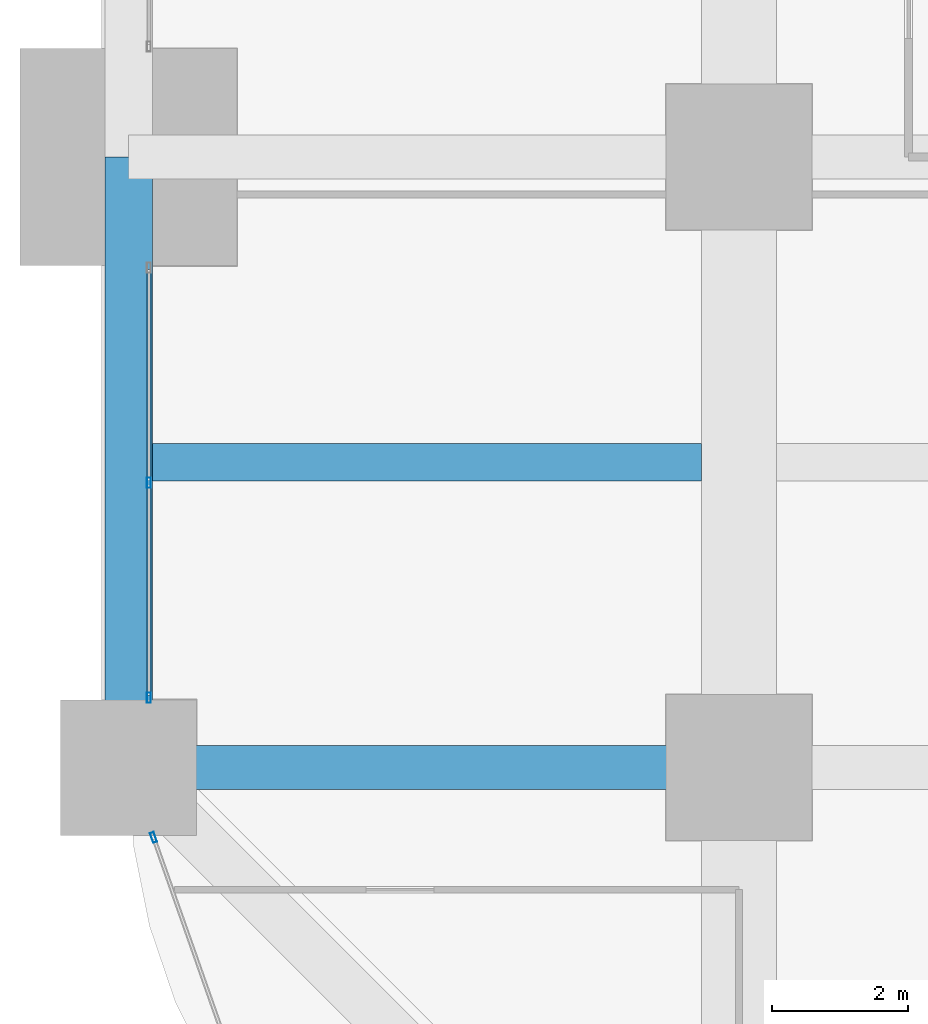
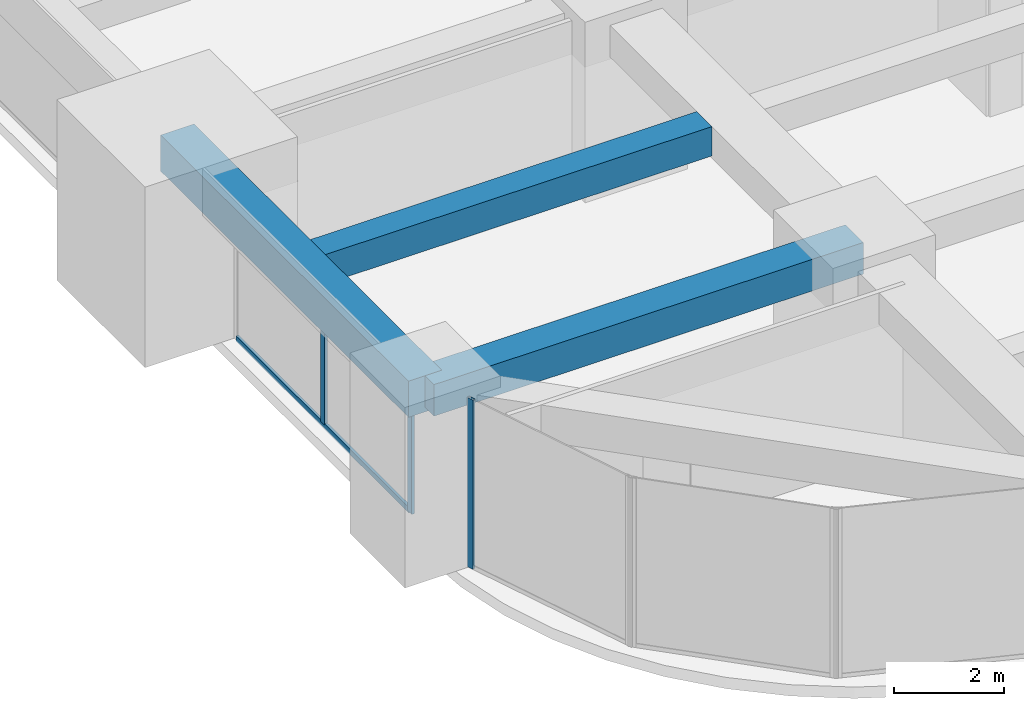
# One storey, part 4 of 41: 4 members, 3 beams, 2 elements without a shape of their own.
"""IFC4 building model written with IfcOpenShell, lengths in metres."""

from ifc_helpers import new_model, si_unit, direction, frame, origin, origin_2d, place, context, subcontext, project, spatial, rectangle, hollow_rectangle, extrude, material, material_profile, profile_set, type_object, element, aggregate, save


model = new_model("IFC4")

# Units and contexts
model_context = context("Model", 3, precision=1e-05, world=origin(), true_north=direction((0.0, 1.0)))
body_context = subcontext(model_context, "Body", "Model", "MODEL_VIEW")
ifc_project = project(units=[si_unit("LENGTHUNIT", "METRE"), si_unit("AREAUNIT", "SQUARE_METRE"), si_unit("VOLUMEUNIT", "CUBIC_METRE"), si_unit("PLANEANGLEUNIT", "RADIAN"), si_unit("MASSUNIT", "GRAM", prefix="KILO")], contexts=[model_context])

# Site, building, storey
site_placement = place(None, origin())
site = spatial("IfcSite", under=ifc_project, at=site_placement, CompositionType="ELEMENT")
building_placement = place(site_placement, origin())
building = spatial("IfcBuilding", under=site, at=building_placement, Name="Zorevar Civic Tower", CompositionType="ELEMENT")
storey_placement = place(building_placement, frame((0.0, 0.0, 89.0)))
storey = spatial("IfcBuildingStorey", under=building, at=storey_placement, Name="L21", CompositionType="ELEMENT", Elevation=89.0)

# Beams
ifc_material_1 = material(Name="Concrete C50/60", Category="concrete")
ifc_material_profile_1 = material_profile(ifc_material_1, rectangle(XDim=0.550048828125, YDim=0.64990234375, at=origin_2d()), Name="RC 550x650")
ifc_profile_set_1 = profile_set([ifc_material_profile_1], Name="Concrete C50/60")
beam_type_1 = type_object("IfcBeamType", Name="Beam RC 550x650", PredefinedType="BEAM", material=ifc_profile_set_1)
beam_1_placement = place(storey_placement, frame((0.35009765625, 13.5, 3.425048828125), z_axis=(1.0, 0.0, 0.0), x_axis=(0.0, 1.0, 0.0)))
element("IfcBeam", 1, at=beam_1_placement, inside=storey, type_object=beam_type_1, Name="Secondary beam L22", PredefinedType="BEAM", context=body_context, shape_type="SweptSolid", body=[
    extrude(rectangle(XDim=0.550048828125, YDim=0.64990234375, at=origin_2d()), origin(), (0.0, 0.0, 1.0), 8.099853515625),
])
ifc_material_2 = material(Name="Concrete C50/60", Category="concrete")
ifc_material_profile_2 = material_profile(ifc_material_2, rectangle(XDim=0.64990234375, YDim=0.699951171875, at=origin_2d()), Name="RC 650x700")
ifc_profile_set_2 = profile_set([ifc_material_profile_2], Name="Concrete C50/60")
beam_type_2 = type_object("IfcBeamType", Name="Beam RC 650x700", PredefinedType="BEAM", material=ifc_profile_set_2)
beam_2_placement = place(storey_placement, frame((0.0, 9.0, 3.39990234375), z_axis=(1.0, 0.0, 0.0), x_axis=(0.0, 1.0, 0.0)))
element("IfcBeam", 2, at=beam_2_placement, inside=storey, type_object=beam_type_2, Name="Girder L22", PredefinedType="BEAM", context=body_context, shape_type="SweptSolid", body=[
    extrude(rectangle(XDim=0.64990234375, YDim=0.699951171875, at=origin_2d()), origin(), (0.0, 0.0, 1.0), 9.0),
])

# Curtain wall, members
ifc_material_3 = material(Name="Dark grey solar-control glass in black aluminium frame", Category="aluminium")
curtain_wall_type = type_object("IfcCurtainWallType", Name="Curtain wall CW3 mid zone", PredefinedType="NOTDEFINED", material=ifc_material_3)
curtain_wall_1_placement = place(storey_placement, origin())
curtain_wall_1 = element("IfcCurtainWall", 3, at=curtain_wall_1_placement, inside=storey, type_object=curtain_wall_type, Name="CW3 L21", PredefinedType="NOTDEFINED")
ifc_material_4 = material(Name="Aluminium, black anodised", Category="aluminium")
ifc_material_profile_3 = material_profile(ifc_material_4, hollow_rectangle(XDim=0.06005859375, YDim=0.14990234375, WallThickness=0.00390625, at=origin_2d()), Name="AL 150x60x4")
ifc_profile_set_3 = profile_set([ifc_material_profile_3], Name="Aluminium, black anodised")
member_type_1 = type_object("IfcMemberType", Name="CW3 mullion AL 150x60x4", PredefinedType="MULLION", material=ifc_profile_set_3)
member_1_placement = place(storey_placement, frame((0.300048828125, 10.030029296875, 0.0), z_axis=(0.0, 0.0, 1.0), x_axis=(-1.0, 0.0, 0.0)))
member_1 = element("IfcMember", 4, at=member_1_placement, type_object=member_type_1, Name="CW3 mullion 1", PredefinedType="MULLION", context=body_context, shape_type="SweptSolid", body=[
    extrude(hollow_rectangle(XDim=0.06005859375, YDim=0.14990234375, WallThickness=0.00390625, at=origin_2d()), origin(), (0.0, 0.0, 1.0), 2.949951171875),
])
member_2_placement = place(storey_placement, frame((0.300048828125, 13.199951171875, 0.06005859375), z_axis=(0.0, 0.0, 1.0), x_axis=(-1.0, 0.0, 0.0)))
member_2 = element("IfcMember", 5, at=member_2_placement, type_object=member_type_1, Name="CW3 mullion 2", PredefinedType="MULLION", context=body_context, shape_type="SweptSolid", body=[
    extrude(hollow_rectangle(XDim=0.06005859375, YDim=0.14990234375, WallThickness=0.00390625, at=origin_2d()), origin(), (0.0, 0.0, 1.0), 2.889892578125),
])

# Curtain wall, member
curtain_wall_2_placement = place(storey_placement, origin())
curtain_wall_2 = element("IfcCurtainWall", 6, at=curtain_wall_2_placement, inside=storey, type_object=curtain_wall_type, Name="CW3 L21", PredefinedType="NOTDEFINED")
member_3_placement = place(storey_placement, frame((0.36767578125, 7.9716796875, 0.0), z_axis=(0.0, 0.0, 1.0), x_axis=(0.943219107653, 0.33217121332, 0.0)))
member_3 = element("IfcMember", 7, at=member_3_placement, type_object=member_type_1, Name="CW3 mullion 1", PredefinedType="MULLION", context=body_context, shape_type="SweptSolid", body=[
    extrude(hollow_rectangle(XDim=0.06005859375, YDim=0.14990234375, WallThickness=0.00390625, at=origin_2d()), origin(), (0.0, 0.0, 1.0), 3.75),
])
aggregate(curtain_wall_2, [member_3])

# Member
ifc_material_5 = material(Name="Aluminium, black anodised", Category="aluminium")
ifc_material_profile_4 = material_profile(ifc_material_5, hollow_rectangle(XDim=0.06005859375, YDim=0.1201171875, WallThickness=0.0029296875, at=origin_2d()), Name="AL 120x60x3")
ifc_profile_set_4 = profile_set([ifc_material_profile_4], Name="Aluminium, black anodised")
member_type_2 = type_object("IfcMemberType", Name="CW3 transom AL 120x60x3", PredefinedType="USERDEFINED", material=ifc_profile_set_4)
member_4_placement = place(storey_placement, frame((0.300048828125, 10.06005859375, 0.030029296875), z_axis=(0.0, 1.0, 0.0), x_axis=(-1.0, 0.0, 0.0)))
member_4 = element("IfcMember", 8, at=member_4_placement, type_object=member_type_2, Name="CW3 sill transom", ObjectType="TRANSOM", PredefinedType="USERDEFINED", context=body_context, shape_type="SweptSolid", body=[
    extrude(hollow_rectangle(XDim=0.06005859375, YDim=0.1201171875, WallThickness=0.0029296875, at=origin_2d()), origin(), (0.0, 0.0, 1.0), 6.280029296875),
])

aggregate(curtain_wall_1, [member_1, member_2, member_4])

# Beam
ifc_material_6 = material(Name="Concrete C50/60", Category="concrete")
ifc_material_profile_5 = material_profile(ifc_material_6, rectangle(XDim=0.699951171875, YDim=0.800048828125, at=origin_2d()), Name="RC 700x800")
ifc_profile_set_5 = profile_set([ifc_material_profile_5], Name="Concrete C50/60")
beam_type_3 = type_object("IfcBeamType", Name="Edge beam RC 700x800", PredefinedType="SPANDREL", material=ifc_profile_set_5)
beam_3_placement = place(storey_placement, frame((0.0, 9.0, 3.35009765625), z_axis=(0.0, 1.0, 0.0), x_axis=(-1.0, 0.0, 0.0)))
element("IfcBeam", 9, at=beam_3_placement, inside=storey, type_object=beam_type_3, Name="Edge beam L22", PredefinedType="SPANDREL", context=body_context, shape_type="SweptSolid", body=[
    extrude(rectangle(XDim=0.699951171875, YDim=0.800048828125, at=origin_2d()), origin(), (0.0, 0.0, 1.0), 9.0),
])

save(model, "model.ifc")
